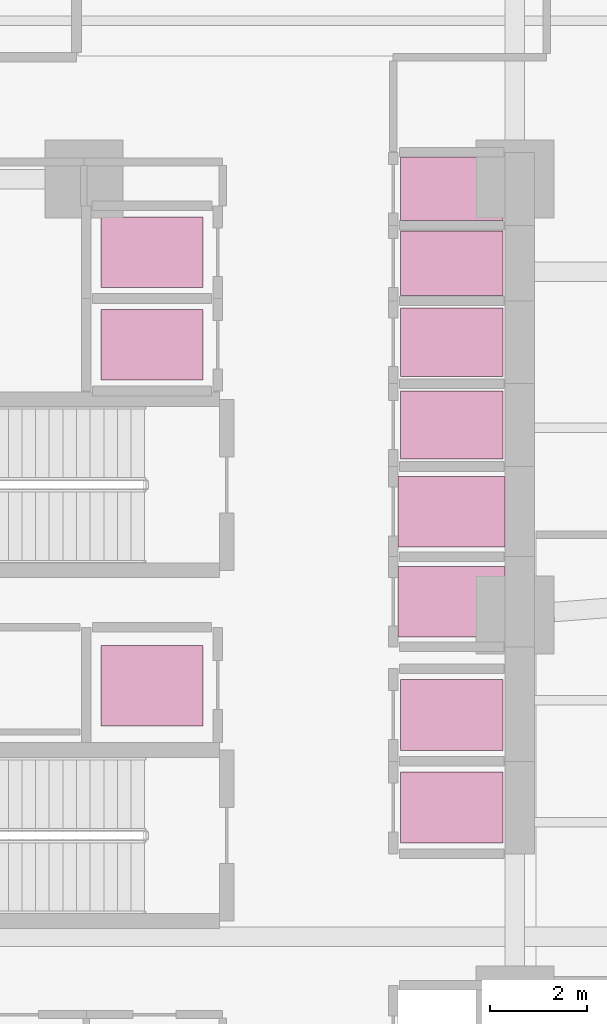
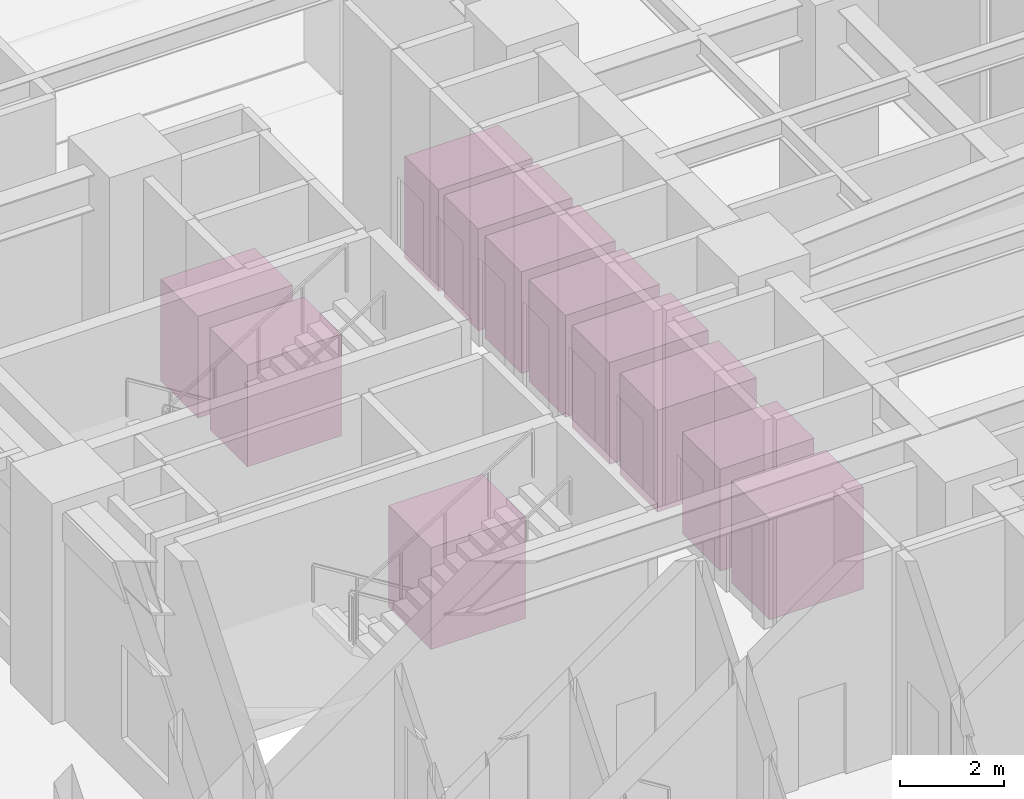
# One storey, part 14 of 14: 11 transport elements.
"""IFC4 building model written with IfcOpenShell, lengths in metres."""

from ifc_helpers import new_model, si_unit, direction, frame, origin, origin_2d, place, context, subcontext, project, spatial, rectangle, extrude, material, type_object, element, save


model = new_model("IFC4")

# Units and contexts
model_context = context("Model", 3, precision=1e-05, world=origin(), true_north=direction((0.0, 1.0)))
body_context = subcontext(model_context, "Body", "Model", "MODEL_VIEW")
ifc_project = project(units=[si_unit("LENGTHUNIT", "METRE"), si_unit("AREAUNIT", "SQUARE_METRE"), si_unit("VOLUMEUNIT", "CUBIC_METRE"), si_unit("PLANEANGLEUNIT", "RADIAN"), si_unit("MASSUNIT", "GRAM", prefix="KILO")], contexts=[model_context])

# Site, building, storey
site_placement = place(None, origin())
site = spatial("IfcSite", under=ifc_project, at=site_placement, CompositionType="ELEMENT")
building_placement = place(site_placement, origin())
building = spatial("IfcBuilding", under=site, at=building_placement, Name="Mawjaban Terraces University", CompositionType="ELEMENT")
storey_placement = place(building_placement, origin())
storey = spatial("IfcBuildingStorey", under=building, at=storey_placement, Name="L00", CompositionType="ELEMENT", Elevation=0.0)

# Transport elements
ifc_material = material(Name="Stainless steel 304 cab assembly", Category="steel")
transport_element_type_1 = type_object("IfcTransportElementType", Name="ExpressShuttleCar_2000kg", PredefinedType="ELEVATOR", material=ifc_material)
for number, where, z_axis, x_axis, name in (
    (1, (36.35009765625, 14.824951171875, 0.0), (0.0, 0.0, 1.0), (1.0, 0.0, 0.0), "Elevator Car OL-1"),
    (2, (36.35009765625, 16.675048828125, 0.0), (0.0, 0.0, 1.0), (1.0, 0.0, 0.0), "Elevator Car OL-2"),
):
    element("IfcTransportElement", number, at=place(storey_placement, frame(where, z_axis=z_axis, x_axis=x_axis)), inside=storey, type_object=transport_element_type_1, Name=name, PredefinedType="ELEVATOR", context=body_context, shape_type="SweptSolid", body=[
        extrude(rectangle(XDim=2.199951171875, YDim=1.449951171875, at=origin_2d()), origin(), (0.0, 0.0, 1.0), 2.39990234375),
    ])
transport_element_type_2 = type_object("IfcTransportElementType", Name="PassengerLiftCar_1800kg", PredefinedType="ELEVATOR", material=ifc_material)
for number, where, z_axis, x_axis, name in (
    (3, (36.35009765625, 10.60009765625, 0.0), (0.0, 0.0, 1.0), (1.0, 0.0, 0.0), "Elevator Car PL-H1"),
    (4, (36.35009765625, 12.5, 0.0), (0.0, 0.0, 1.0), (1.0, 0.0, 0.0), "Elevator Car PL-H2"),
):
    element("IfcTransportElement", number, at=place(storey_placement, frame(where, z_axis=z_axis, x_axis=x_axis)), inside=storey, type_object=transport_element_type_2, Name=name, PredefinedType="ELEVATOR", context=body_context, shape_type="SweptSolid", body=[
        extrude(rectangle(XDim=2.10009765625, YDim=1.449951171875, at=origin_2d()), origin(), (0.0, 0.0, 1.0), 2.39990234375),
    ])
transport_element_1_placement = place(storey_placement, frame((30.199951171875, 13.10009765625, 0.0), z_axis=(0.0, 0.0, 1.0), x_axis=(1.0, 0.0, 0.0)))
element("IfcTransportElement", 5, at=transport_element_1_placement, inside=storey, type_object=transport_element_type_2, Name="Elevator Car PL-H3", PredefinedType="ELEVATOR", context=body_context, shape_type="SweptSolid", body=[
    extrude(rectangle(XDim=2.10009765625, YDim=1.64990234375, at=origin_2d()), origin(), (0.0, 0.0, 1.0), 2.39990234375),
])
for number, where, z_axis, x_axis, name in (
    (6, (36.35009765625, 18.449951171875, 0.0), (0.0, 0.0, 1.0), (1.0, 0.0, 0.0), "Elevator Car PL-M1"),
    (7, (36.35009765625, 20.14990234375, 0.0), (0.0, 0.0, 1.0), (1.0, 0.0, 0.0), "Elevator Car PL-M2"),
):
    element("IfcTransportElement", number, at=place(storey_placement, frame(where, z_axis=z_axis, x_axis=x_axis)), inside=storey, type_object=transport_element_type_2, Name=name, PredefinedType="ELEVATOR", context=body_context, shape_type="SweptSolid", body=[
        extrude(rectangle(XDim=2.10009765625, YDim=1.39990234375, at=origin_2d()), origin(), (0.0, 0.0, 1.0), 2.39990234375),
    ])
transport_element_2_placement = place(storey_placement, frame((30.199951171875, 20.10009765625, 0.0), z_axis=(0.0, 0.0, 1.0), x_axis=(1.0, 0.0, 0.0)))
element("IfcTransportElement", 8, at=transport_element_2_placement, inside=storey, type_object=transport_element_type_2, Name="Elevator Car PL-M3", PredefinedType="ELEVATOR", context=body_context, shape_type="SweptSolid", body=[
    extrude(rectangle(XDim=2.10009765625, YDim=1.449951171875, at=origin_2d()), origin(), (0.0, 0.0, 1.0), 2.39990234375),
])
transport_element_3_placement = place(storey_placement, frame((36.35009765625, 21.77490234375, 0.0), z_axis=(0.0, 0.0, 1.0), x_axis=(1.0, 0.0, 0.0)))
element("IfcTransportElement", 9, at=transport_element_3_placement, inside=storey, type_object=transport_element_type_2, Name="Elevator Car PL-L1", PredefinedType="ELEVATOR", context=body_context, shape_type="SweptSolid", body=[
    extrude(rectangle(XDim=2.10009765625, YDim=1.320068359375, at=origin_2d()), origin(), (0.0, 0.0, 1.0), 2.39990234375),
])
transport_element_4_placement = place(storey_placement, frame((36.35009765625, 23.300048828125, 0.0), z_axis=(0.0, 0.0, 1.0), x_axis=(1.0, 0.0, 0.0)))
element("IfcTransportElement", 10, at=transport_element_4_placement, inside=storey, type_object=transport_element_type_2, Name="Elevator Car PL-L2", PredefinedType="ELEVATOR", context=body_context, shape_type="SweptSolid", body=[
    extrude(rectangle(XDim=2.10009765625, YDim=1.300048828125, at=origin_2d()), origin(), (0.0, 0.0, 1.0), 2.39990234375),
])
transport_element_5_placement = place(storey_placement, frame((30.199951171875, 22.0, 0.0), z_axis=(0.0, 0.0, 1.0), x_axis=(1.0, 0.0, 0.0)))
element("IfcTransportElement", 11, at=transport_element_5_placement, inside=storey, type_object=transport_element_type_2, Name="Elevator Car PL-L3", PredefinedType="ELEVATOR", context=body_context, shape_type="SweptSolid", body=[
    extrude(rectangle(XDim=2.10009765625, YDim=1.449951171875, at=origin_2d()), origin(), (0.0, 0.0, 1.0), 2.39990234375),
])

save(model, "model.ifc")
